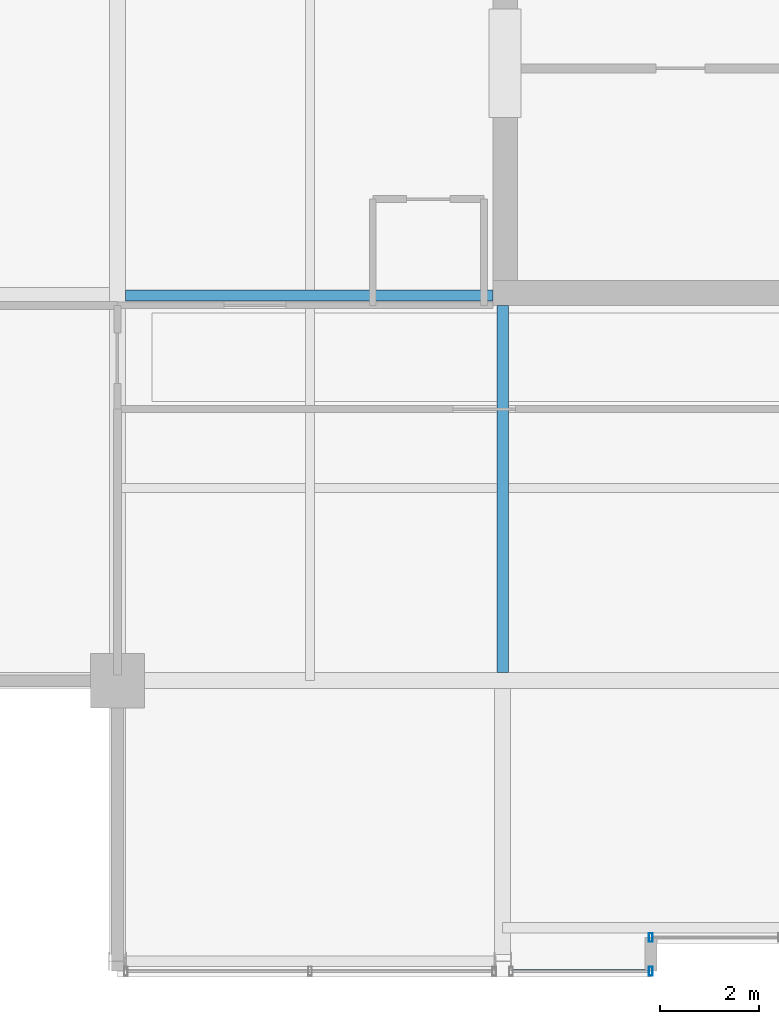
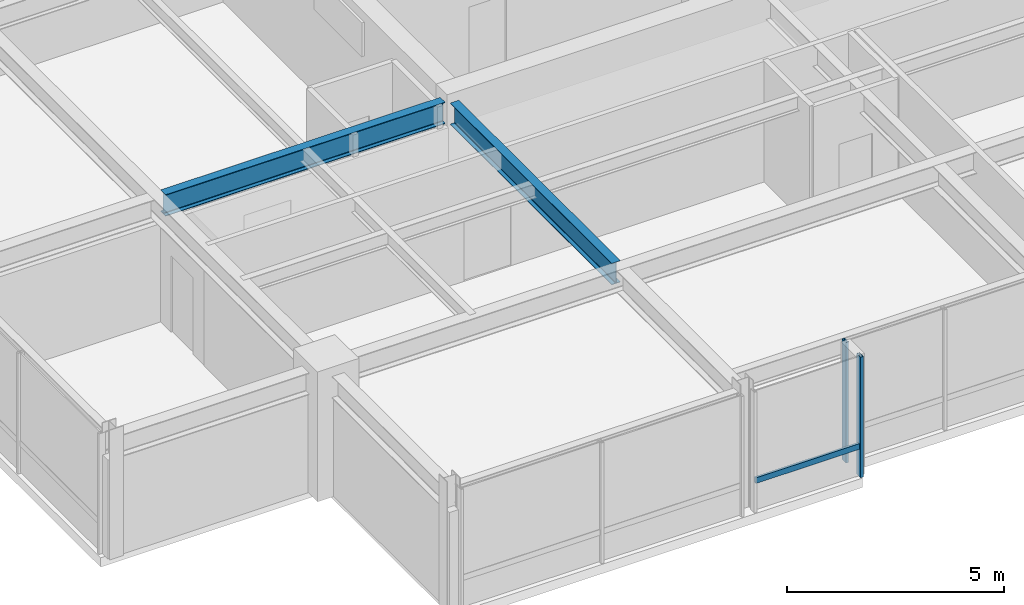
# One storey, part 6 of 33: 3 members, 2 beams, 2 elements without a shape of their own.
"""IFC4 building model written with IfcOpenShell, lengths in metres."""

from ifc_helpers import new_model, si_unit, direction, frame, origin, origin_2d, place, context, subcontext, project, spatial, hollow_rectangle, i_section, extrude, material, layer, layer_set, material_profile, profile_set, type_object, element, aggregate, save


model = new_model("IFC4")

# Units and contexts
model_context = context("Model", 3, precision=1e-05, world=origin(), true_north=direction((0.0, 1.0)))
body_context = subcontext(model_context, "Body", "Model", "MODEL_VIEW")
ifc_project = project(units=[si_unit("LENGTHUNIT", "METRE"), si_unit("AREAUNIT", "SQUARE_METRE"), si_unit("VOLUMEUNIT", "CUBIC_METRE"), si_unit("PLANEANGLEUNIT", "RADIAN"), si_unit("MASSUNIT", "GRAM", prefix="KILO")], contexts=[model_context])

# Site, building, storey
site_placement = place(None, origin())
site = spatial("IfcSite", under=ifc_project, at=site_placement, CompositionType="ELEMENT")
building_placement = place(site_placement, origin())
building = spatial("IfcBuilding", under=site, at=building_placement, Name="Drelvath Grand Hotel", CompositionType="ELEMENT")
storey_placement = place(building_placement, frame((0.0, 0.0, 275.949951171875)))
storey = spatial("IfcBuildingStorey", under=building, at=storey_placement, Name="L72", CompositionType="ELEMENT", Elevation=275.949951171875)

# Curtain wall, member
ifc_material_1 = material(Name="Platinum-Mist Anodised Aluminium Frame", Category="aluminium")
ifc_layer = layer(ifc_material_1, 0.199951171875)
ifc_layer_set = layer_set([ifc_layer], Name="Platinum-Mist Anodised Aluminium Frame")
curtain_wall_type = type_object("IfcCurtainWallType", Name="Stick Curtain Wall CW-05 Platinum Mist High-Rise", PredefinedType="NOTDEFINED", material=ifc_layer_set)
curtain_wall_1_placement = place(storey_placement, origin())
curtain_wall_1 = element("IfcCurtainWall", 1, at=curtain_wall_1_placement, inside=storey, type_object=curtain_wall_type, Name="L72 CW-05 Curtain Wall CW05-L72-SW2", PredefinedType="NOTDEFINED")
ifc_material_profile_1 = material_profile(ifc_material_1, hollow_rectangle(XDim=0.06494140625, YDim=0.159912109375, WallThickness=0.00390625, at=origin_2d()), Name="HSS160X65X4")
ifc_profile_set_1 = profile_set([ifc_material_profile_1], Name="Platinum-Mist Anodised Aluminium Frame")
member_type_1 = type_object("IfcMemberType", Name="Curtain Wall Horizontal Transom CW-05 HSS160X65X4", PredefinedType="USERDEFINED", material=ifc_profile_set_1)
member_1_placement = place(storey_placement, frame((-5.43994140625, 4.919921875, 0.84765625), z_axis=(-1.0, 0.0, 0.0), x_axis=(0.0, -1.0, 0.0)))
member_1 = element("IfcMember", 2, at=member_1_placement, type_object=member_type_1, Name="CW05-L72-SW2 Sill Transom", ObjectType="TRANSOM", PredefinedType="USERDEFINED", context=body_context, shape_type="SweptSolid", body=[
    extrude(hollow_rectangle(XDim=0.06494140625, YDim=0.159912109375, WallThickness=0.00390625, at=origin_2d()), origin(), (0.0, 0.0, 1.0), 2.75),
])

curtain_wall_2_placement = place(storey_placement, origin())
curtain_wall_2 = element("IfcCurtainWall", 3, at=curtain_wall_2_placement, inside=storey, type_object=curtain_wall_type, Name="L72 CW-05 Curtain Wall CW05-L72-SM1", PredefinedType="NOTDEFINED")
ifc_material_profile_2 = material_profile(ifc_material_1, hollow_rectangle(XDim=0.074951171875, YDim=0.179931640625, WallThickness=0.0048828125, at=origin_2d()), Name="HSS180X75X5")
ifc_profile_set_2 = profile_set([ifc_material_profile_2], Name="Platinum-Mist Anodised Aluminium Frame")
member_type_2 = type_object("IfcMemberType", Name="Curtain Wall Vertical Mullion CW-05 HSS180X75X5", PredefinedType="MULLION", material=ifc_profile_set_2)
member_2_placement = place(storey_placement, frame((-5.39990234375, 5.60009765625, 0.0), z_axis=(0.0, 0.0, 1.0), x_axis=(1.0, 0.0, 0.0)))
member_2 = element("IfcMember", 4, at=member_2_placement, type_object=member_type_2, Name="CW05-L72-SM1 Mullion 3", PredefinedType="MULLION", context=body_context, shape_type="SweptSolid", body=[
    extrude(hollow_rectangle(XDim=0.074951171875, YDim=0.179931640625, WallThickness=0.0048828125, at=origin_2d()), origin(), (0.0, 0.0, 1.0), 3.39013671875),
])
aggregate(curtain_wall_2, [member_2])

# Member
member_3_placement = place(storey_placement, frame((-5.39990234375, 4.919921875, 0.0), z_axis=(0.0, 0.0, 1.0), x_axis=(1.0, 0.0, 0.0)))
member_3 = element("IfcMember", 5, at=member_3_placement, type_object=member_type_2, Name="CW05-L72-SW2 Mullion 1", PredefinedType="MULLION", context=body_context, shape_type="SweptSolid", body=[
    extrude(hollow_rectangle(XDim=0.074951171875, YDim=0.179931640625, WallThickness=0.0048828125, at=origin_2d()), origin(), (0.0, 0.0, 1.0), 3.39013671875),
])

aggregate(curtain_wall_1, [member_3, member_1])

# Beams
ifc_material_2 = material(Name="Steel ASTM A992 Gr 50", Category="steel")
ifc_material_profile_3 = material_profile(ifc_material_2, i_section(OverallWidth=0.228271484375, OverallDepth=0.607666015625, WebThickness=0.01123046875, FlangeThickness=0.017333984375, FilletRadius=0.02001953125, at=origin_2d()), Name="W24X76")
ifc_profile_set_3 = profile_set([ifc_material_profile_3], Name="Steel ASTM A992 Gr 50")
beam_type = type_object("IfcBeamType", Name="Primary Floor Girder W24X76", PredefinedType="BEAM", material=ifc_profile_set_3)
for number, where, z_axis, x_axis, name in (
    (6, (-16.0380859375, 18.60009765625, 3.086181640625), (1.0, 0.0, 0.0), (0.0, 1.0, 0.0), "L72 West Core Tie D"),
    (7, (-8.39990234375, 10.9619140625, 3.086181640625), (0.0, 1.0, 0.0), (-1.0, 0.0, 0.0), "L72 South Core Tie 4"),
):
    element("IfcBeam", number, at=place(storey_placement, frame(where, z_axis=z_axis, x_axis=x_axis)), inside=storey, type_object=beam_type, Name=name, PredefinedType="BEAM", context=body_context, shape_type="SweptSolid", body=[
        extrude(i_section(OverallWidth=0.228271484375, OverallDepth=0.607666015625, WebThickness=0.01123046875, FlangeThickness=0.017333984375, FilletRadius=0.02001953125, at=origin_2d()), origin(), (0.0, 0.0, 1.0), 7.43798828125),
    ])

save(model, "model.ifc")
